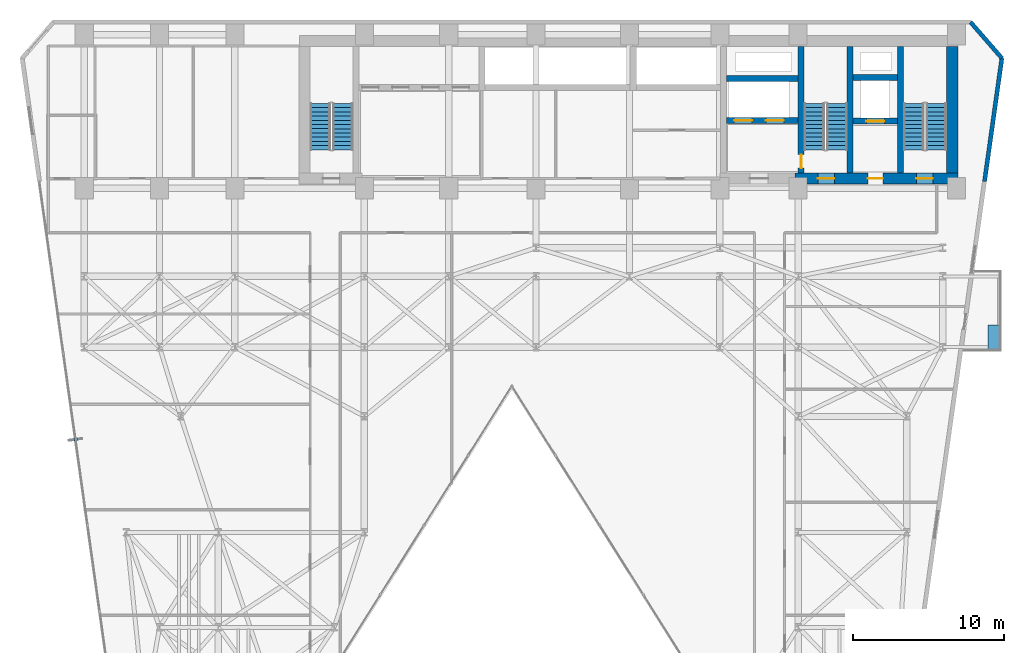
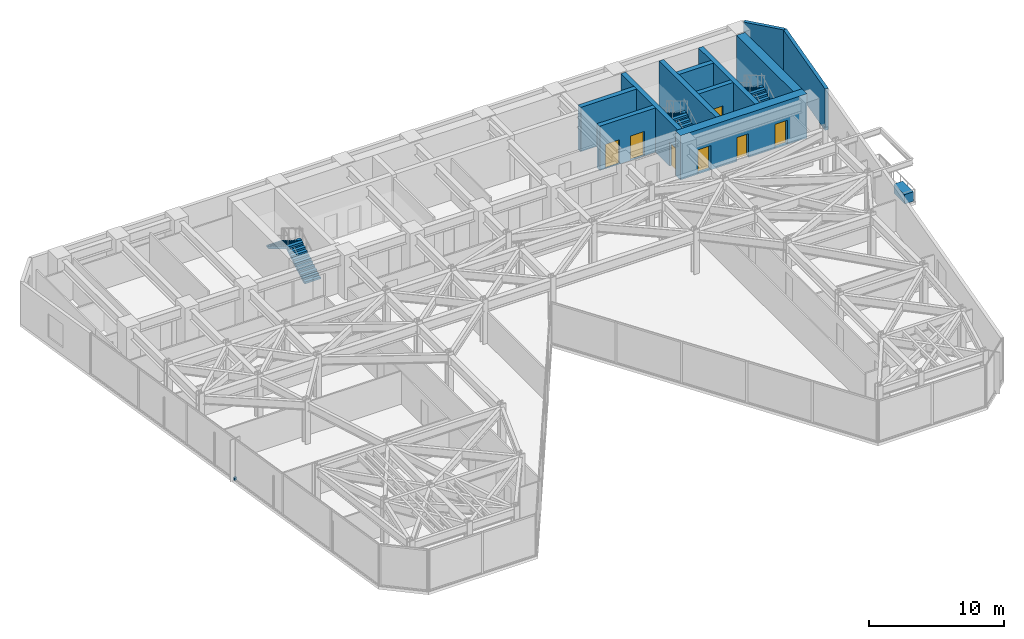
# One storey, part 21 of 25: 11 walls, 7 doors, 6 stair flights, 2 discrete accessories, 7 openings, 3 elements without a shape of their own.
"""IFC4 building model written with IfcOpenShell, lengths in metres."""

from ifc_helpers import new_model, si_unit, direction, frame, frame_2d, origin, origin_2d, place, context, subcontext, project, spatial, polyline, rectangle, outline, extrude, material, layer, layer_set, type_object, element, fill, aggregate, save


model = new_model("IFC4")

# Units and contexts
model_context = context("Model", 3, precision=1e-05, world=origin(), true_north=direction((0.0, 1.0)))
body_context = subcontext(model_context, "Body", "Model", "MODEL_VIEW")
ifc_project = project(units=[si_unit("LENGTHUNIT", "METRE"), si_unit("AREAUNIT", "SQUARE_METRE"), si_unit("VOLUMEUNIT", "CUBIC_METRE"), si_unit("PLANEANGLEUNIT", "RADIAN"), si_unit("MASSUNIT", "GRAM", prefix="KILO")], contexts=[model_context])

# Site, building, storey
site_placement = place(None, origin())
site = spatial("IfcSite", under=ifc_project, at=site_placement, CompositionType="ELEMENT")
building_placement = place(site_placement, origin())
building = spatial("IfcBuilding", under=site, at=building_placement, Name="Kravanh Interchange Tower", CompositionType="ELEMENT")
storey_placement = place(building_placement, frame((0.0, 0.0, 65.5)))
storey = spatial("IfcBuildingStorey", under=building, at=storey_placement, Name="L15", CompositionType="ELEMENT", Elevation=65.5)

# Walls
ifc_material_1 = material(Name="Concrete C80/95", Category="concrete")
ifc_layer_1 = layer(ifc_material_1, 0.39990234375)
ifc_layer_set_1 = layer_set([ifc_layer_1], Name="Core Shear Wall Concrete C80/95 400mm")
wall_type_1 = type_object("IfcWallType", Name="Core Shear Wall Concrete C80/95 400mm", PredefinedType="SHEAR", material=ifc_layer_set_1)
for number, where, z_axis, x_axis, name in (
    (1, (62.800048828125, 38.375, 0.0), (0.0, 0.0, 1.0), (0.0, 1.0, 0.0), "L15 Stair ST1 West Shear Wall"),
    (2, (59.449951171875, 38.375, 0.0), (0.0, 0.0, 1.0), (0.0, 1.0, 0.0), "L15 Stair ST2 East Shear Wall"),
):
    element("IfcWall", number, at=place(storey_placement, frame(where, z_axis=z_axis, x_axis=x_axis)), inside=storey, type_object=wall_type_1, Name=name, PredefinedType="SHEAR", context=body_context, shape_type="SweptSolid", body=[
        extrude(rectangle(XDim=8.375, YDim=0.39990234375, at=frame_2d((4.1875, 0.0))), origin(), (0.0, 0.0, 1.0), 4.0),
    ])

# Wall, opening, door
wall_1_placement = place(storey_placement, frame((56.199951171875, 38.375, 0.0), z_axis=(0.0, 0.0, 1.0), x_axis=(0.0, 1.0, 0.0)))
wall_1 = element("IfcWall", 3, at=wall_1_placement, inside=storey, type_object=wall_type_1, Name="L15 Stair ST2 West Shear Wall", PredefinedType="SHEAR", context=body_context, shape_type="SweptSolid", body=[
    extrude(rectangle(XDim=8.375, YDim=0.39990234375, at=frame_2d((4.1875, 0.0))), origin(), (0.0, 0.0, 1.0), 4.0),
])
opening_1_placement = place(wall_1_placement, frame((0.304931640625, 0.0, 0.0)))
opening_1 = element("IfcOpeningElement", 4, at=opening_1_placement, cuts=wall_1, Name="Opening D-STAIR-90", PredefinedType="OPENING", context=body_context, shape_type="SweptSolid", body=[
    extrude(rectangle(XDim=0.89990234375, YDim=2.14990234375, at=frame_2d((0.449951171875, 1.074951171875))), frame((0.0, 0.2099609375, 0.0), z_axis=(0.0, -1.0, 0.0), x_axis=(1.0, 0.0, 0.0)), (0.0, 0.0, 1.0), 0.419921875),
])
ifc_material_2 = material(Name="Structural Steel S355", Category="steel")
door_type_1 = type_object("IfcDoorType", Name="Fire-Rated Stair Lobby Door 900x2150", OperationType="NOTDEFINED", PredefinedType="DOOR", material=ifc_material_2)
door_1_placement = place(opening_1_placement, origin())
door_1 = element("IfcDoor", 5, at=door_1_placement, inside=storey, type_object=door_type_1, Name="L15 Firefighting Lobby to Stair ST2 Door", OperationType="SINGLE_SWING_LEFT", OverallHeight=2.14990234375, OverallWidth=0.89990234375, PredefinedType="DOOR", context=body_context, shape_type="SweptSolid", body=[
    extrude(rectangle(XDim=0.89990234375, YDim=2.14990234375, at=frame_2d((0.449951171875, 1.074951171875))), frame((0.0, 0.02490234375, 0.0), z_axis=(0.0, -1.0, 0.0), x_axis=(1.0, 0.0, 0.0)), (0.0, 0.0, 1.0), 0.050048828125),
])
fill(opening_1, door_1)

wall_2_placement = place(storey_placement, frame((59.64990234375, 41.800048828125, 0.0), z_axis=(0.0, 0.0, 1.0), x_axis=(1.0, 0.0, 0.0)))
wall_2 = element("IfcWall", 6, at=wall_2_placement, inside=storey, type_object=wall_type_1, Name="L15 Service Lift Shaft South Wall", PredefinedType="SHEAR", context=body_context, shape_type="SweptSolid", body=[
    extrude(rectangle(XDim=2.9501953125, YDim=0.39990234375, at=frame_2d((1.47509765625, 0.0))), origin(), (0.0, 0.0, 1.0), 4.0),
])
opening_2_placement = place(wall_2_placement, frame((0.8701171875, 0.0, 0.0)))
opening_2 = element("IfcOpeningElement", 7, at=opening_2_placement, cuts=wall_2, Name="Opening LD02", PredefinedType="OPENING", context=body_context, shape_type="SweptSolid", body=[
    extrude(rectangle(XDim=1.199951171875, YDim=2.199951171875, at=frame_2d((0.60009765625, 1.10009765625))), frame((0.0, 0.2099609375, 0.0), z_axis=(0.0, -1.0, 0.0), x_axis=(1.0, 0.0, 0.0)), (0.0, 0.0, 1.0), 0.419921875),
])
ifc_material_3 = material(Name="Stainless Steel 316", Category="steel")
door_type_2 = type_object("IfcDoorType", Name="Fire and Service Lift Sliding Landing Door 1200x2200", OperationType="DOUBLE_DOOR_SLIDING", PredefinedType="DOOR", material=ifc_material_3)
door_2_placement = place(opening_2_placement, origin())
door_2 = element("IfcDoor", 8, at=door_2_placement, inside=storey, type_object=door_type_2, Name="L15 Lift LS-01 Landing Door", OperationType="DOUBLE_DOOR_SLIDING", OverallHeight=2.199951171875, OverallWidth=1.199951171875, PredefinedType="DOOR", context=body_context, shape_type="SweptSolid", body=[
    extrude(rectangle(XDim=1.199951171875, YDim=2.199951171875, at=frame_2d((0.60009765625, 1.10009765625))), frame((0.0, 0.02490234375, 0.0), z_axis=(0.0, -1.0, 0.0), x_axis=(1.0, 0.0, 0.0)), (0.0, 0.0, 1.0), 0.050048828125),
])
fill(opening_2, door_2)

# Wall
wall_3_placement = place(storey_placement, frame((59.64990234375, 44.699951171875, 0.0), z_axis=(0.0, 0.0, 1.0), x_axis=(1.0, 0.0, 0.0)))
element("IfcWall", 9, at=wall_3_placement, inside=storey, type_object=wall_type_1, Name="L15 Service Lift Shaft North Wall", PredefinedType="SHEAR", context=body_context, shape_type="SweptSolid", body=[
    extrude(rectangle(XDim=2.9501953125, YDim=0.39990234375, at=frame_2d((1.47509765625, 0.0))), origin(), (0.0, 0.0, 1.0), 4.0),
])

# Wall, openings, doors
wall_4_placement = place(storey_placement, frame((51.25, 41.85009765625, 0.0), z_axis=(0.0, 0.0, 1.0), x_axis=(1.0, 0.0, 0.0)))
wall_4 = element("IfcWall", 10, at=wall_4_placement, inside=storey, type_object=wall_type_1, Name="L15 Fire Lift Shaft South Wall", PredefinedType="SHEAR", context=body_context, shape_type="SweptSolid", body=[
    extrude(rectangle(XDim=4.75, YDim=0.39990234375, at=frame_2d((2.375, 0.0))), origin(), (0.0, 0.0, 1.0), 4.0),
])
opening_3_placement = place(wall_4_placement, frame((0.5, 0.0, 0.0)))
opening_3 = element("IfcOpeningElement", 11, at=opening_3_placement, cuts=wall_4, Name="Opening LD02", PredefinedType="OPENING", context=body_context, shape_type="SweptSolid", body=[
    extrude(rectangle(XDim=1.199951171875, YDim=2.199951171875, at=frame_2d((0.60009765625, 1.10009765625))), frame((0.0, 0.2099609375, 0.0), z_axis=(0.0, -1.0, 0.0), x_axis=(1.0, 0.0, 0.0)), (0.0, 0.0, 1.0), 0.419921875),
])
opening_4_placement = place(wall_4_placement, frame((2.60009765625, 0.0, 0.0)))
opening_4 = element("IfcOpeningElement", 12, at=opening_4_placement, cuts=wall_4, Name="Opening LD02", PredefinedType="OPENING", context=body_context, shape_type="SweptSolid", body=[
    extrude(rectangle(XDim=1.199951171875, YDim=2.199951171875, at=frame_2d((0.60009765625, 1.10009765625))), frame((0.0, 0.2099609375, 0.0), z_axis=(0.0, -1.0, 0.0), x_axis=(1.0, 0.0, 0.0)), (0.0, 0.0, 1.0), 0.419921875),
])
door_3_placement = place(opening_3_placement, origin())
door_3 = element("IfcDoor", 13, at=door_3_placement, inside=storey, type_object=door_type_2, Name="L15 Lift FSAE-01 Landing Door", OperationType="DOUBLE_DOOR_SLIDING", OverallHeight=2.199951171875, OverallWidth=1.199951171875, PredefinedType="DOOR", context=body_context, shape_type="SweptSolid", body=[
    extrude(rectangle(XDim=1.199951171875, YDim=2.199951171875, at=frame_2d((0.60009765625, 1.10009765625))), frame((0.0, 0.02490234375, 0.0), z_axis=(0.0, -1.0, 0.0), x_axis=(1.0, 0.0, 0.0)), (0.0, 0.0, 1.0), 0.050048828125),
])
fill(opening_3, door_3)
door_4_placement = place(opening_4_placement, origin())
door_4 = element("IfcDoor", 14, at=door_4_placement, inside=storey, type_object=door_type_2, Name="L15 Lift FSAE-02 Landing Door", OperationType="DOUBLE_DOOR_SLIDING", OverallHeight=2.199951171875, OverallWidth=1.199951171875, PredefinedType="DOOR", context=body_context, shape_type="SweptSolid", body=[
    extrude(rectangle(XDim=1.199951171875, YDim=2.199951171875, at=frame_2d((0.60009765625, 1.10009765625))), frame((0.0, 0.02490234375, 0.0), z_axis=(0.0, -1.0, 0.0), x_axis=(1.0, 0.0, 0.0)), (0.0, 0.0, 1.0), 0.050048828125),
])
fill(opening_4, door_4)

# Wall
wall_5_placement = place(storey_placement, frame((51.25, 44.64990234375, 0.0), z_axis=(0.0, 0.0, 1.0), x_axis=(1.0, 0.0, 0.0)))
element("IfcWall", 15, at=wall_5_placement, inside=storey, type_object=wall_type_1, Name="L15 Fire Lift Shaft North Wall", PredefinedType="SHEAR", context=body_context, shape_type="SweptSolid", body=[
    extrude(rectangle(XDim=4.75, YDim=0.39990234375, at=frame_2d((2.375, 0.0))), origin(), (0.0, 0.0, 1.0), 4.0),
])

# Wall, openings, doors
ifc_material_4 = material(Name="Concrete C80/95", Category="concrete")
ifc_layer_2 = layer(ifc_material_4, 0.75)
ifc_layer_set_2 = layer_set([ifc_layer_2], Name="Core Shear Wall Concrete C80/95 750mm")
wall_type_2 = type_object("IfcWallType", Name="Core Shear Wall Concrete C80/95 750mm", PredefinedType="SHEAR", material=ifc_layer_set_2)
wall_6_placement = place(storey_placement, frame((55.800048828125, 38.0, 0.0), z_axis=(0.0, 0.0, 1.0), x_axis=(1.0, 0.0, 0.0)))
wall_6 = element("IfcWall", 16, at=wall_6_placement, inside=storey, type_object=wall_type_2, Name="L15 East Core South Shear Wall", PredefinedType="SHEAR", context=body_context, shape_type="SweptSolid", body=[
    extrude(rectangle(XDim=10.800048828125, YDim=0.75, at=frame_2d((5.39990234375, 0.0))), origin(), (0.0, 0.0, 1.0), 4.0),
])
opening_5_placement = place(wall_6_placement, frame((1.5, 0.0, 0.0)))
opening_5 = element("IfcOpeningElement", 17, at=opening_5_placement, cuts=wall_6, Name="Opening D-STAIR-110", PredefinedType="OPENING", context=body_context, shape_type="SweptSolid", body=[
    extrude(rectangle(XDim=1.10009765625, YDim=2.199951171875, at=frame_2d((0.550048828125, 1.10009765625))), frame((0.0, 0.385009765625, 0.0), z_axis=(0.0, -1.0, 0.0), x_axis=(1.0, 0.0, 0.0)), (0.0, 0.0, 1.0), 0.77001953125),
])
opening_6_placement = place(wall_6_placement, frame((4.820068359375, 0.0, 0.0)))
opening_6 = element("IfcOpeningElement", 18, at=opening_6_placement, cuts=wall_6, Name="Opening D-HOTEL-100", PredefinedType="OPENING", context=body_context, shape_type="SweptSolid", body=[
    extrude(rectangle(XDim=1.0, YDim=2.14990234375, at=frame_2d((0.5, 1.074951171875))), frame((0.0, 0.385009765625, 0.0), z_axis=(0.0, -1.0, 0.0), x_axis=(1.0, 0.0, 0.0)), (0.0, 0.0, 1.0), 0.77001953125),
])
opening_7_placement = place(wall_6_placement, frame((8.050048828125, 0.0, 0.0)))
opening_7 = element("IfcOpeningElement", 19, at=opening_7_placement, cuts=wall_6, Name="Opening D-STAIR-110", PredefinedType="OPENING", context=body_context, shape_type="SweptSolid", body=[
    extrude(rectangle(XDim=1.10009765625, YDim=2.199951171875, at=frame_2d((0.550048828125, 1.10009765625))), frame((0.0, 0.385009765625, 0.0), z_axis=(0.0, -1.0, 0.0), x_axis=(1.0, 0.0, 0.0)), (0.0, 0.0, 1.0), 0.77001953125),
])
ifc_material_5 = material(Name="Structural Steel S355", Category="steel")
door_type_3 = type_object("IfcDoorType", Name="Fire-Rated Exit Stair Door 1100x2200", OperationType="NOTDEFINED", PredefinedType="DOOR", material=ifc_material_5)
door_5_placement = place(opening_5_placement, origin())
door_5 = element("IfcDoor", 20, at=door_5_placement, inside=storey, type_object=door_type_3, Name="L15 Exit Stair ST2 Door", OperationType="SINGLE_SWING_RIGHT", OverallHeight=2.199951171875, OverallWidth=1.10009765625, PredefinedType="DOOR", context=body_context, shape_type="SweptSolid", body=[
    extrude(rectangle(XDim=1.10009765625, YDim=2.199951171875, at=frame_2d((0.550048828125, 1.10009765625))), frame((0.0, 0.02490234375, 0.0), z_axis=(0.0, -1.0, 0.0), x_axis=(1.0, 0.0, 0.0)), (0.0, 0.0, 1.0), 0.050048828125),
])
fill(opening_5, door_5)
door_6_placement = place(opening_7_placement, origin())
door_6 = element("IfcDoor", 21, at=door_6_placement, inside=storey, type_object=door_type_3, Name="L15 Exit Stair ST1 Door", OperationType="SINGLE_SWING_RIGHT", OverallHeight=2.199951171875, OverallWidth=1.10009765625, PredefinedType="DOOR", context=body_context, shape_type="SweptSolid", body=[
    extrude(rectangle(XDim=1.10009765625, YDim=2.199951171875, at=frame_2d((0.550048828125, 1.10009765625))), frame((0.0, 0.02490234375, 0.0), z_axis=(0.0, -1.0, 0.0), x_axis=(1.0, 0.0, 0.0)), (0.0, 0.0, 1.0), 0.050048828125),
])
fill(opening_7, door_6)
ifc_material_6 = material(Name="Fire-Rated Solid Timber Leaf", Category="wood")
door_type_4 = type_object("IfcDoorType", Name="Fire-Rated Suite Entrance Door 1000x2150", OperationType="NOTDEFINED", PredefinedType="DOOR", material=ifc_material_6)
door_7_placement = place(opening_6_placement, origin())
door_7 = element("IfcDoor", 22, at=door_7_placement, inside=storey, type_object=door_type_4, Name="L15 Service Lift Lobby Door", OperationType="SINGLE_SWING_RIGHT", OverallHeight=2.14990234375, OverallWidth=1.0, PredefinedType="DOOR", context=body_context, shape_type="SweptSolid", body=[
    extrude(rectangle(XDim=1.0, YDim=2.14990234375, at=frame_2d((0.5, 1.074951171875))), frame((0.0, 0.02490234375, 0.0), z_axis=(0.0, -1.0, 0.0), x_axis=(1.0, 0.0, 0.0)), (0.0, 0.0, 1.0), 0.050048828125),
])
fill(opening_6, door_7)

# Walls
wall_7_placement = place(storey_placement, frame((66.22509765625, 38.375, 0.0), z_axis=(0.0, 0.0, 1.0), x_axis=(0.0, 1.0, 0.0)))
element("IfcWall", 23, at=wall_7_placement, inside=storey, type_object=wall_type_2, Name="L15 Stair ST1 East Shear Wall", PredefinedType="SHEAR", context=body_context, shape_type="SweptSolid", body=[
    extrude(rectangle(XDim=8.375, YDim=0.75, at=frame_2d((4.1875, 0.0))), origin(), (0.0, 0.0, 1.0), 4.0),
])
ifc_material_7 = material(Name="Insulated Precast Concrete C40/50 with Bronze Cladding", Category="concrete")
ifc_layer_3 = layer(ifc_material_7, 0.280029296875)
ifc_layer_set_3 = layer_set([ifc_layer_3], Name="Exterior Insulated Concrete C40/50 Bronze Spandrel Wall 280mm")
wall_type_3 = type_object("IfcWallType", Name="Exterior Insulated Concrete C40/50 Bronze Spandrel Wall 280mm", PredefinedType="STANDARD", material=ifc_layer_set_3)
wall_8_placement = place(storey_placement, frame((67.4453125, 48.3798828125, 0.0), z_axis=(0.0, 0.0, 1.0), x_axis=(0.656070053895, -0.754699996278, 0.0)))
element("IfcWall", 24, at=wall_8_placement, inside=storey, type_object=wall_type_3, Name="L15 Exterior Wall 4", PredefinedType="STANDARD", context=body_context, shape_type="SweptSolid", body=[
    extrude(rectangle(XDim=3.1708984375, YDim=0.280029296875, at=frame_2d((1.58544921875, 0.0))), origin(), (0.0, 0.0, 1.0), 3.739990234375),
])
wall_9_placement = place(storey_placement, frame((69.525634765625, 45.98681640625, 0.0), z_axis=(0.0, 0.0, 1.0), x_axis=(-0.139180172484, -0.990267074878, 0.0)))
element("IfcWall", 25, at=wall_9_placement, inside=storey, type_object=wall_type_3, Name="L15 Exterior Wall 5", PredefinedType="STANDARD", context=body_context, shape_type="SweptSolid", body=[
    extrude(rectangle(XDim=8.267333984375, YDim=0.280029296875, at=frame_2d((4.1337890625, 0.0))), origin(), (0.0, 0.0, 1.0), 3.739990234375),
])

# Stair, stair flights
ifc_material_8 = material(Name="Concrete C50/60", Category="concrete")
stair_type = type_object("IfcStairType", Name="Core Fire Exit Dogleg Stair Concrete C50/60", PredefinedType="HALF_TURN_STAIR", material=ifc_material_8)
stair_1_placement = place(storey_placement, origin())
stair_1 = element("IfcStair", 26, at=stair_1_placement, inside=storey, type_object=stair_type, Name="L15 Exit Stair ST1", PredefinedType="HALF_TURN_STAIR")
ifc_material_9 = material(Name="Precast Concrete C50/60", Category="concrete")
ifc_layer_4 = layer(ifc_material_9, 0.199951171875)
ifc_layer_set_4 = layer_set([ifc_layer_4], Name="Precast Concrete C50/60 Stair Flight 1350mm")
stair_flight_type = type_object("IfcStairFlightType", Name="Precast Concrete C50/60 Stair Flight 1350mm", PredefinedType="STRAIGHT", material=ifc_layer_set_4)
stair_flight_1_placement = place(storey_placement, frame((65.175048828125, 39.89990234375, 0.0), z_axis=(0.0, 0.0, 1.0), x_axis=(0.0, 1.0, 0.0)))
stair_flight_1 = element("IfcStairFlight", 27, at=stair_flight_1_placement, type_object=stair_flight_type, Name="ST1 flight 1", NumberOfRisers=12, NumberOfTreads=11, PredefinedType="STRAIGHT", RiserHeight=0.166666667, TreadLength=0.28, context=body_context, shape_type="SweptSolid", body=[
    extrude(outline(polyline([(0.0, 0.0), (0.0, 0.166748046875), (0.280029296875, 0.166748046875), (0.280029296875, 0.333251953125), (0.56005859375, 0.333251953125), (0.56005859375, 0.5), (0.840087890625, 0.5), (0.840087890625, 0.666748046875), (1.1201171875, 0.666748046875), (1.1201171875, 0.833251953125), (1.39990234375, 0.833251953125), (1.39990234375, 1.0), (1.679931640625, 1.0), (1.679931640625, 1.166748046875), (1.9599609375, 1.166748046875), (1.9599609375, 1.333251953125), (2.239990234375, 1.333251953125), (2.239990234375, 1.5), (2.52001953125, 1.5), (2.52001953125, 1.666748046875), (2.800048828125, 1.666748046875), (2.800048828125, 1.833251953125), (3.080078125, 1.833251953125), (3.080078125, 2.0), (3.080078125, 1.658935546875), (0.29296875, 0.0), (0.0, 0.0)])), frame((0.0, 0.675048828125, 0.0), z_axis=(0.0, -1.0, 0.0), x_axis=(1.0, 0.0, 0.0)), (0.0, 0.0, 1.0), 1.35009765625),
])
stair_flight_2_placement = place(storey_placement, frame((63.675048828125, 42.97998046875, 2.0), z_axis=(0.0, 0.0, 1.0), x_axis=(0.0, -1.0, 0.0)))
stair_flight_2 = element("IfcStairFlight", 28, at=stair_flight_2_placement, type_object=stair_flight_type, Name="ST1 flight 2", NumberOfRisers=12, NumberOfTreads=11, PredefinedType="STRAIGHT", RiserHeight=0.166666667, TreadLength=0.28, context=body_context, shape_type="SweptSolid", body=[
    extrude(outline(polyline([(0.0, 0.0), (0.0, 0.166748046875), (0.280029296875, 0.166748046875), (0.280029296875, 0.333251953125), (0.56005859375, 0.333251953125), (0.56005859375, 0.5), (0.840087890625, 0.5), (0.840087890625, 0.666748046875), (1.1201171875, 0.666748046875), (1.1201171875, 0.833251953125), (1.39990234375, 0.833251953125), (1.39990234375, 1.0), (1.679931640625, 1.0), (1.679931640625, 1.166748046875), (1.9599609375, 1.166748046875), (1.9599609375, 1.333251953125), (2.239990234375, 1.333251953125), (2.239990234375, 1.5), (2.52001953125, 1.5), (2.52001953125, 1.666748046875), (2.800048828125, 1.666748046875), (2.800048828125, 1.833251953125), (3.080078125, 1.833251953125), (3.080078125, 2.0), (3.080078125, 1.658935546875), (0.29296875, 0.0), (0.0, 0.0)])), frame((0.0, 0.675048828125, 0.0), z_axis=(0.0, -1.0, 0.0), x_axis=(1.0, 0.0, 0.0)), (0.0, 0.0, 1.0), 1.35009765625),
])
aggregate(stair_1, [stair_flight_1, stair_flight_2])

stair_2_placement = place(storey_placement, origin())
stair_2 = element("IfcStair", 29, at=stair_2_placement, inside=storey, type_object=stair_type, Name="L15 Exit Stair ST2", PredefinedType="HALF_TURN_STAIR")
stair_flight_3_placement = place(storey_placement, frame((58.574951171875, 39.89990234375, 0.0), z_axis=(0.0, 0.0, 1.0), x_axis=(0.0, 1.0, 0.0)))
stair_flight_3 = element("IfcStairFlight", 30, at=stair_flight_3_placement, type_object=stair_flight_type, Name="ST2 flight 1", NumberOfRisers=12, NumberOfTreads=11, PredefinedType="STRAIGHT", RiserHeight=0.166666667, TreadLength=0.28, context=body_context, shape_type="SweptSolid", body=[
    extrude(outline(polyline([(0.0, 0.0), (0.0, 0.166748046875), (0.280029296875, 0.166748046875), (0.280029296875, 0.333251953125), (0.56005859375, 0.333251953125), (0.56005859375, 0.5), (0.840087890625, 0.5), (0.840087890625, 0.666748046875), (1.1201171875, 0.666748046875), (1.1201171875, 0.833251953125), (1.39990234375, 0.833251953125), (1.39990234375, 1.0), (1.679931640625, 1.0), (1.679931640625, 1.166748046875), (1.9599609375, 1.166748046875), (1.9599609375, 1.333251953125), (2.239990234375, 1.333251953125), (2.239990234375, 1.5), (2.52001953125, 1.5), (2.52001953125, 1.666748046875), (2.800048828125, 1.666748046875), (2.800048828125, 1.833251953125), (3.080078125, 1.833251953125), (3.080078125, 2.0), (3.080078125, 1.658935546875), (0.29296875, 0.0), (0.0, 0.0)])), frame((0.0, 0.675048828125, 0.0), z_axis=(0.0, -1.0, 0.0), x_axis=(1.0, 0.0, 0.0)), (0.0, 0.0, 1.0), 1.35009765625),
])
stair_flight_4_placement = place(storey_placement, frame((57.074951171875, 42.97998046875, 2.0), z_axis=(0.0, 0.0, 1.0), x_axis=(0.0, -1.0, 0.0)))
stair_flight_4 = element("IfcStairFlight", 31, at=stair_flight_4_placement, type_object=stair_flight_type, Name="ST2 flight 2", NumberOfRisers=12, NumberOfTreads=11, PredefinedType="STRAIGHT", RiserHeight=0.166666667, TreadLength=0.28, context=body_context, shape_type="SweptSolid", body=[
    extrude(outline(polyline([(0.0, 0.0), (0.0, 0.166748046875), (0.280029296875, 0.166748046875), (0.280029296875, 0.333251953125), (0.56005859375, 0.333251953125), (0.56005859375, 0.5), (0.840087890625, 0.5), (0.840087890625, 0.666748046875), (1.1201171875, 0.666748046875), (1.1201171875, 0.833251953125), (1.39990234375, 0.833251953125), (1.39990234375, 1.0), (1.679931640625, 1.0), (1.679931640625, 1.166748046875), (1.9599609375, 1.166748046875), (1.9599609375, 1.333251953125), (2.239990234375, 1.333251953125), (2.239990234375, 1.5), (2.52001953125, 1.5), (2.52001953125, 1.666748046875), (2.800048828125, 1.666748046875), (2.800048828125, 1.833251953125), (3.080078125, 1.833251953125), (3.080078125, 2.0), (3.080078125, 1.658935546875), (0.29296875, 0.0), (0.0, 0.0)])), frame((0.0, 0.675048828125, 0.0), z_axis=(0.0, -1.0, 0.0), x_axis=(1.0, 0.0, 0.0)), (0.0, 0.0, 1.0), 1.35009765625),
])
aggregate(stair_2, [stair_flight_3, stair_flight_4])

stair_3_placement = place(storey_placement, origin())
stair_3 = element("IfcStair", 32, at=stair_3_placement, inside=storey, type_object=stair_type, Name="L15 Exit Stair ST3", PredefinedType="HALF_TURN_STAIR")
stair_flight_5_placement = place(storey_placement, frame((25.77490234375, 39.89990234375, 0.0), z_axis=(0.0, 0.0, 1.0), x_axis=(0.0, 1.0, 0.0)))
stair_flight_5 = element("IfcStairFlight", 33, at=stair_flight_5_placement, type_object=stair_flight_type, Name="ST3 flight 1", NumberOfRisers=12, NumberOfTreads=11, PredefinedType="STRAIGHT", RiserHeight=0.166666667, TreadLength=0.28, context=body_context, shape_type="SweptSolid", body=[
    extrude(outline(polyline([(0.0, 0.0), (0.0, 0.166748046875), (0.280029296875, 0.166748046875), (0.280029296875, 0.333251953125), (0.56005859375, 0.333251953125), (0.56005859375, 0.5), (0.840087890625, 0.5), (0.840087890625, 0.666748046875), (1.1201171875, 0.666748046875), (1.1201171875, 0.833251953125), (1.39990234375, 0.833251953125), (1.39990234375, 1.0), (1.679931640625, 1.0), (1.679931640625, 1.166748046875), (1.9599609375, 1.166748046875), (1.9599609375, 1.333251953125), (2.239990234375, 1.333251953125), (2.239990234375, 1.5), (2.52001953125, 1.5), (2.52001953125, 1.666748046875), (2.800048828125, 1.666748046875), (2.800048828125, 1.833251953125), (3.080078125, 1.833251953125), (3.080078125, 2.0), (3.080078125, 1.658935546875), (0.29296875, 0.0), (0.0, 0.0)])), frame((0.0, 0.675048828125, 0.0), z_axis=(0.0, -1.0, 0.0), x_axis=(1.0, 0.0, 0.0)), (0.0, 0.0, 1.0), 1.35009765625),
])
stair_flight_6_placement = place(storey_placement, frame((24.27490234375, 42.97998046875, 2.0), z_axis=(0.0, 0.0, 1.0), x_axis=(0.0, -1.0, 0.0)))
stair_flight_6 = element("IfcStairFlight", 34, at=stair_flight_6_placement, type_object=stair_flight_type, Name="ST3 flight 2", NumberOfRisers=12, NumberOfTreads=11, PredefinedType="STRAIGHT", RiserHeight=0.166666667, TreadLength=0.28, context=body_context, shape_type="SweptSolid", body=[
    extrude(outline(polyline([(0.0, 0.0), (0.0, 0.166748046875), (0.280029296875, 0.166748046875), (0.280029296875, 0.333251953125), (0.56005859375, 0.333251953125), (0.56005859375, 0.5), (0.840087890625, 0.5), (0.840087890625, 0.666748046875), (1.1201171875, 0.666748046875), (1.1201171875, 0.833251953125), (1.39990234375, 0.833251953125), (1.39990234375, 1.0), (1.679931640625, 1.0), (1.679931640625, 1.166748046875), (1.9599609375, 1.166748046875), (1.9599609375, 1.333251953125), (2.239990234375, 1.333251953125), (2.239990234375, 1.5), (2.52001953125, 1.5), (2.52001953125, 1.666748046875), (2.800048828125, 1.666748046875), (2.800048828125, 1.833251953125), (3.080078125, 1.833251953125), (3.080078125, 2.0), (3.080078125, 1.658935546875), (0.29296875, 0.0), (0.0, 0.0)])), frame((0.0, 0.675048828125, 0.0), z_axis=(0.0, -1.0, 0.0), x_axis=(1.0, 0.0, 0.0)), (0.0, 0.0, 1.0), 1.35009765625),
])
aggregate(stair_3, [stair_flight_5, stair_flight_6])

# Discrete accessories
ifc_material_10 = material(Name="Stainless Steel 316", Category="steel")
discrete_accessory_type_1 = type_object("IfcDiscreteAccessoryType", Name="Solar Fin Curtain-Wall Mounting Bracket Stainless 316", PredefinedType="BRACKET", material=ifc_material_10)
discrete_accessory_1_placement = place(storey_placement, frame((8.03271484375, 20.66845703125, 0.0), z_axis=(0.0, 0.0, 1.0), x_axis=(-0.990267798532, -0.139175023587, 0.0)))
element("IfcDiscreteAccessory", 35, at=discrete_accessory_1_placement, inside=storey, type_object=discrete_accessory_type_1, Name="L15 Solar Fin Mounting Bracket 1", PredefinedType="BRACKET", context=body_context, shape_type="SweptSolid", body=[
    extrude(rectangle(XDim=0.239990234375, YDim=0.179931640625, at=origin_2d()), origin(), (0.0, 0.0, 1.0), 0.219970703125),
])
ifc_material_11 = material(Name="Architectural GRC Concrete C40/50 with Root Barrier", Category="concrete")
discrete_accessory_type_2 = type_object("IfcDiscreteAccessoryType", Name="Structural Balcony Tree Planter Box Concrete C40/50 1600x750x850", PredefinedType="USERDEFINED", material=ifc_material_11)
discrete_accessory_2_placement = place(storey_placement, frame((68.969970703125, 27.4599609375, 0.0), z_axis=(0.0, 0.0, 1.0), x_axis=(1.0, 0.0, 0.0)))
element("IfcDiscreteAccessory", 36, at=discrete_accessory_2_placement, inside=storey, type_object=discrete_accessory_type_2, Name="L15 E Balcony TREE PLANTER", ObjectType="PLANTER", PredefinedType="USERDEFINED", context=body_context, shape_type="SweptSolid", body=[
    extrude(rectangle(XDim=0.75, YDim=1.60009765625, at=origin_2d()), origin(), (0.0, 0.0, 1.0), 0.85009765625),
])

save(model, "model.ifc")
